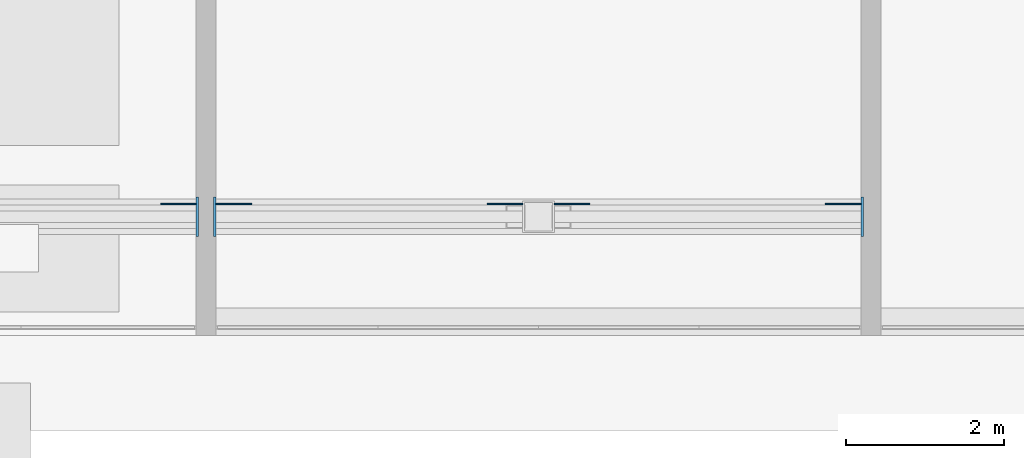
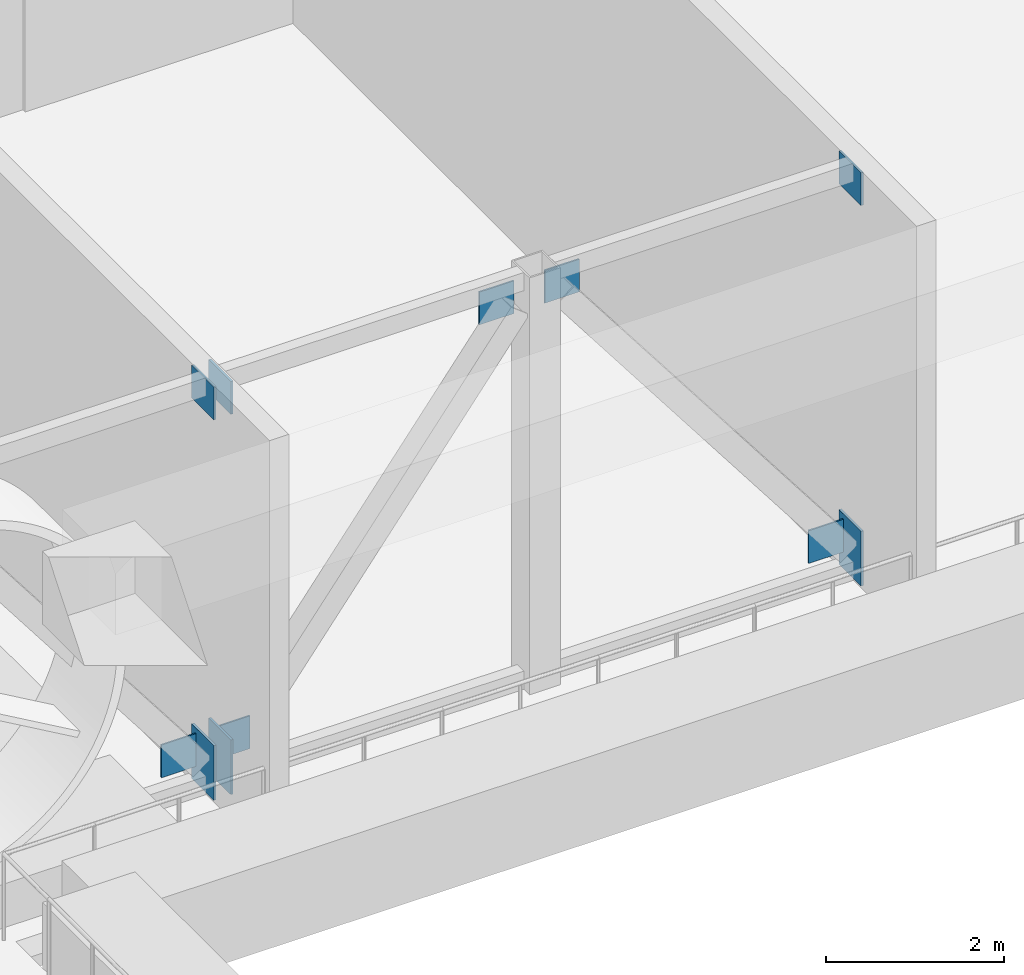
# One storey, part 7 of 15: 11 discrete accessories.
"""IFC4 building model written with IfcOpenShell, lengths in metres."""

from ifc_helpers import new_model, si_unit, direction, frame, origin, origin_2d, place, context, subcontext, project, spatial, rectangle, extrude, source, transform, mapped, material, layer, layer_set, type_object, element, save


model = new_model("IFC4")

# Units and contexts
model_context = context("Model", 3, precision=1e-05, world=origin(), true_north=direction((0.0, 1.0)))
body_context = subcontext(model_context, "Body", "Model", "MODEL_VIEW")
ifc_project = project(units=[si_unit("LENGTHUNIT", "METRE"), si_unit("AREAUNIT", "SQUARE_METRE"), si_unit("VOLUMEUNIT", "CUBIC_METRE"), si_unit("PLANEANGLEUNIT", "RADIAN"), si_unit("MASSUNIT", "GRAM", prefix="KILO")], contexts=[model_context])

# Site, building, storey
site_placement = place(None, origin())
site = spatial("IfcSite", under=ifc_project, at=site_placement, CompositionType="ELEMENT")
building_placement = place(site_placement, origin())
building = spatial("IfcBuilding", under=site, at=building_placement, Name="Vanashikhar Sky Hotel", CompositionType="ELEMENT")
storey_placement = place(building_placement, frame((0.0, 0.0, 317.699951171875)))
storey = spatial("IfcBuildingStorey", under=building, at=storey_placement, Name="L76", CompositionType="ELEMENT", Elevation=317.699951171875)

# Discrete accessories
ifc_material = material(Name="Steel S355", Category="steel")
ifc_layer_1 = layer(ifc_material, 0.030029296875)
ifc_layer_set_1 = layer_set([ifc_layer_1], Name="Cast-in anchor plate 500x750x30")
discrete_accessory_type_1 = type_object("IfcDiscreteAccessoryType", Name="Cast-in anchor plate 500x750x30", PredefinedType="ANCHORPLATE", material=ifc_layer_set_1)
shared_shape_1 = source(origin(), body_context, "Body", "SweptSolid", [
    extrude(rectangle(XDim=0.030029296875, YDim=0.5, at=origin_2d()), origin(), (0.0, 0.0, 1.0), 0.75),
])
for number, where, z_axis, x_axis, name in (
    (1, (67.090087890625, 7.0, 0.025146484375), (0.0, 0.0, 1.0), (1.0, 0.0, 0.0), "EP-L76-F05BB"),
    (2, (67.31005859375, 7.0, 0.025146484375), (0.0, 0.0, 1.0), (1.0, 0.0, 0.0), "EP-L76-F06AB"),
    (3, (75.489990234375, 7.0, 0.025146484375), (0.0, 0.0, 1.0), (1.0, 0.0, 0.0), "EP-L76-F06BB"),
):
    element("IfcDiscreteAccessory", number, at=place(storey_placement, frame(where, z_axis=z_axis, x_axis=x_axis)), inside=storey, type_object=discrete_accessory_type_1, Name=name, PredefinedType="ANCHORPLATE", context=body_context, shape_type="MappedRepresentation", body=[
        mapped(shared_shape_1, transform((0.0, 0.0, 0.0), scale=1.0)),
    ])
ifc_layer_2 = layer(ifc_material, 0.030029296875)
ifc_layer_set_2 = layer_set([ifc_layer_2], Name="Cast-in anchor plate 500x450x30")
discrete_accessory_type_2 = type_object("IfcDiscreteAccessoryType", Name="Cast-in anchor plate 500x450x30", PredefinedType="ANCHORPLATE", material=ifc_layer_set_2)
shared_shape_2 = source(origin(), body_context, "Body", "SweptSolid", [
    extrude(rectangle(XDim=0.030029296875, YDim=0.5, at=origin_2d()), origin(), (0.0, 0.0, 1.0), 0.449951171875),
])
for number, where, z_axis, x_axis, name in (
    (4, (67.090087890625, 7.0, 5.2451171875), (0.0, 0.0, 1.0), (1.0, 0.0, 0.0), "EP-L76-F05BT"),
    (5, (67.31005859375, 7.0, 5.2451171875), (0.0, 0.0, 1.0), (1.0, 0.0, 0.0), "EP-L76-F06AT"),
    (6, (75.489990234375, 7.0, 5.2451171875), (0.0, 0.0, 1.0), (1.0, 0.0, 0.0), "EP-L76-F06BT"),
):
    element("IfcDiscreteAccessory", number, at=place(storey_placement, frame(where, z_axis=z_axis, x_axis=x_axis)), inside=storey, type_object=discrete_accessory_type_2, Name=name, PredefinedType="ANCHORPLATE", context=body_context, shape_type="MappedRepresentation", body=[
        mapped(shared_shape_2, transform((0.0, 0.0, 0.0), scale=1.0)),
    ])
ifc_layer_3 = layer(ifc_material, 0.02001953125)
ifc_layer_set_3 = layer_set([ifc_layer_3], Name="Truss gusset plate 450x450x20")
discrete_accessory_type_3 = type_object("IfcDiscreteAccessoryType", Name="Truss gusset plate 450x450x20", PredefinedType="BRACKET", material=ifc_layer_set_3)
shared_shape_3 = source(origin(), body_context, "Body", "SweptSolid", [
    extrude(rectangle(XDim=0.449951171875, YDim=0.02001953125, at=origin_2d()), origin(), (0.0, 0.0, 1.0), 0.449951171875),
])
for number, where, z_axis, x_axis, name in (
    (7, (66.85009765625, 7.159912109375, 0.25), (0.0, 0.0, 1.0), (1.0, 0.0, 0.0), "GS-L76-F05RA"),
    (8, (67.550048828125, 7.159912109375, 0.25), (0.0, 0.0, 1.0), (1.0, 0.0, 0.0), "GS-L76-F06LA"),
    (9, (70.97509765625, 7.159912109375, 5.02001953125), (0.0, 0.0, 1.0), (1.0, 0.0, 0.0), "GS-L76-F06LB"),
    (10, (75.25, 7.159912109375, 0.25), (0.0, 0.0, 1.0), (1.0, 0.0, 0.0), "GS-L76-F06RA"),
    (11, (71.824951171875, 7.159912109375, 5.02001953125), (0.0, 0.0, 1.0), (1.0, 0.0, 0.0), "GS-L76-F06RB"),
):
    element("IfcDiscreteAccessory", number, at=place(storey_placement, frame(where, z_axis=z_axis, x_axis=x_axis)), inside=storey, type_object=discrete_accessory_type_3, Name=name, PredefinedType="BRACKET", context=body_context, shape_type="MappedRepresentation", body=[
        mapped(shared_shape_3, transform((0.0, 0.0, 0.0), scale=1.0)),
    ])

save(model, "model.ifc")
